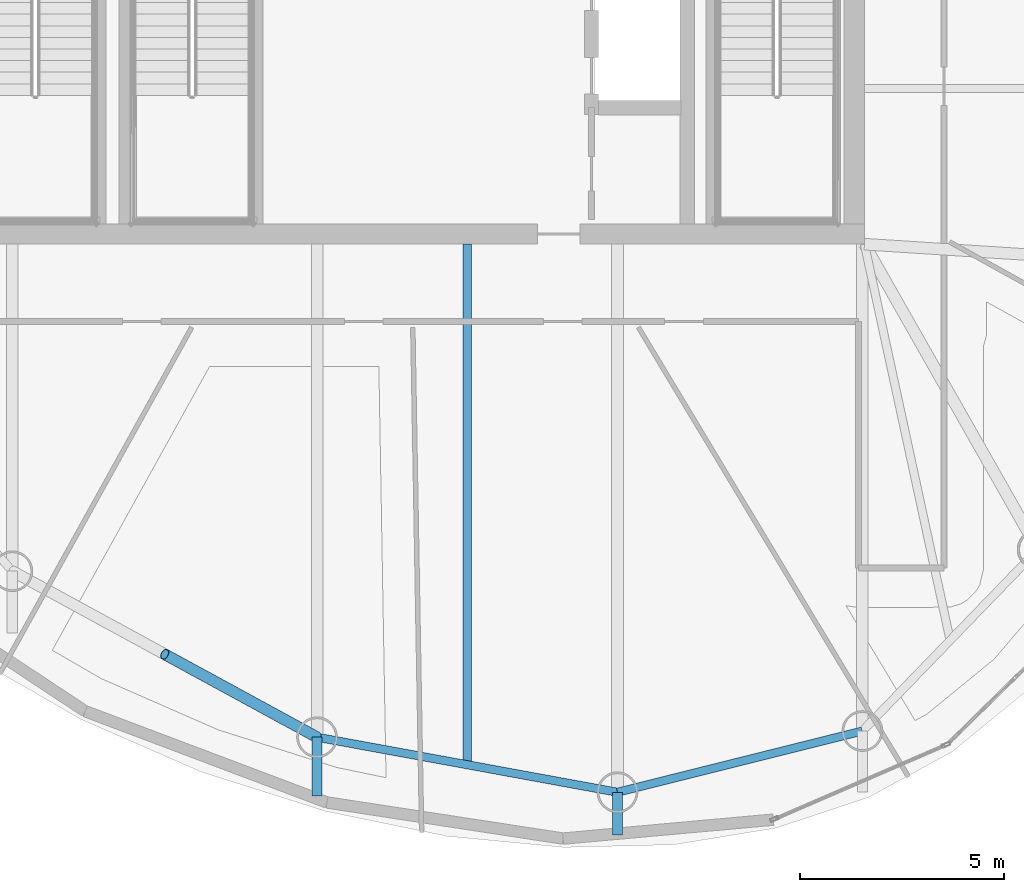
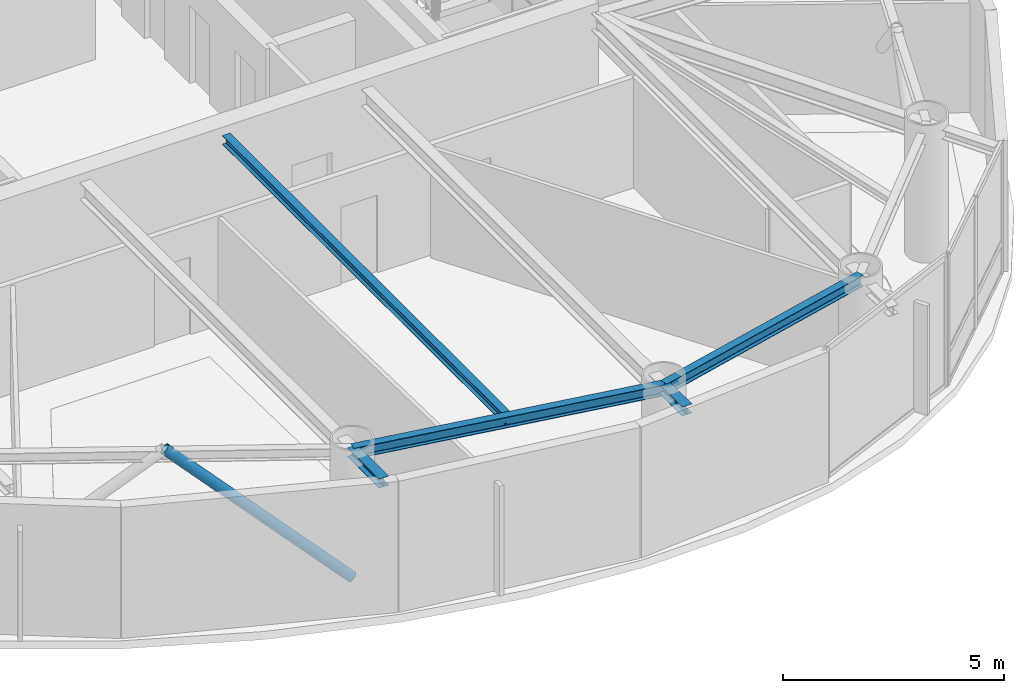
# One storey, part 4 of 21: 5 beams, 1 member.
"""IFC4 building model written with IfcOpenShell, lengths in metres."""

from ifc_helpers import new_model, si_unit, direction, frame, origin, origin_2d, place, context, subcontext, project, spatial, hollow_circle, i_section, extrude, material, material_profile, profile_set, type_object, element, save


model = new_model("IFC4")

# Units and contexts
model_context = context("Model", 3, precision=1e-05, world=origin(), true_north=direction((0.0, 1.0)))
body_context = subcontext(model_context, "Body", "Model", "MODEL_VIEW")
ifc_project = project(units=[si_unit("LENGTHUNIT", "METRE"), si_unit("AREAUNIT", "SQUARE_METRE"), si_unit("VOLUMEUNIT", "CUBIC_METRE"), si_unit("PLANEANGLEUNIT", "RADIAN"), si_unit("MASSUNIT", "GRAM", prefix="KILO")], contexts=[model_context])

# Site, building, storey
site_placement = place(None, origin())
site = spatial("IfcSite", under=ifc_project, at=site_placement, CompositionType="ELEMENT")
building_placement = place(site_placement, origin())
building = spatial("IfcBuilding", under=site, at=building_placement, Name="Bramvorn Convention Spire", CompositionType="ELEMENT")
storey_placement = place(building_placement, frame((0.0, 0.0, 257.449951171875)))
storey = spatial("IfcBuildingStorey", under=building, at=storey_placement, Name="L65", CompositionType="ELEMENT", Elevation=257.449951171875)

# Beams
ifc_material = material(Name="Steel CSA G40.21 Grade 350 (350W)", Category="steel")
ifc_material_profile_1 = material_profile(ifc_material, i_section(OverallWidth=0.201904296875, OverallDepth=0.2470703125, WebThickness=0.00732421875, FlangeThickness=0.010986328125, FilletRadius=0.011962890625, at=origin_2d()))
ifc_profile_set_1 = profile_set([ifc_material_profile_1], Name="Steel CSA G40.21 Grade 350 (350W) - W250X49")
beam_type_1 = type_object("IfcBeamType", Name="BM-W250X49", PredefinedType="JOIST", material=ifc_profile_set_1)
beam_1_placement = place(storey_placement, frame((39.501953125, 18.550048828125, 3.50146484375), z_axis=(0.0, -1.0, 0.0), x_axis=(1.0, 0.0, 0.0)))
element("IfcBeam", 1, at=beam_1_placement, inside=storey, type_object=beam_type_1, Name="L65 composite floor joist 15", PredefinedType="JOIST", context=body_context, shape_type="SweptSolid", body=[
    extrude(i_section(OverallWidth=0.201904296875, OverallDepth=0.2470703125, WebThickness=0.00732421875, FlangeThickness=0.010986328125, FilletRadius=0.011962890625, at=origin_2d()), origin(), (0.0, 0.0, 1.0), 12.77587890625),
])
ifc_material_profile_2 = material_profile(ifc_material, i_section(OverallWidth=0.25390625, OverallDepth=0.2529296875, WebThickness=0.008544921875, FlangeThickness=0.01416015625, FilletRadius=0.011962890625, at=origin_2d()))
ifc_profile_set_2 = profile_set([ifc_material_profile_2], Name="Steel CSA G40.21 Grade 350 (350W) - W250X73")
beam_type_2 = type_object("IfcBeamType", Name="BM-W250X73", PredefinedType="BEAM", material=ifc_profile_set_2)
beam_2_placement = place(storey_placement, frame((35.8154296875, 6.44921875, 3.49853515625), z_axis=(0.0, -1.0, 0.0), x_axis=(1.0, 0.0, 0.0)))
element("IfcBeam", 2, at=beam_2_placement, inside=storey, type_object=beam_type_2, Name="L65 slab-edge cantilever tip beam MC15", PredefinedType="BEAM", context=body_context, shape_type="SweptSolid", body=[
    extrude(i_section(OverallWidth=0.25390625, OverallDepth=0.2529296875, WebThickness=0.008544921875, FlangeThickness=0.01416015625, FilletRadius=0.011962890625, at=origin_2d()), origin(), (0.0, 0.0, 1.0), 1.439208984375),
])
beam_3_placement = place(storey_placement, frame((43.1884765625, 5.09912109375, 3.49853515625), z_axis=(0.0, -1.0, 0.0), x_axis=(1.0, 0.0, 0.0)))
element("IfcBeam", 3, at=beam_3_placement, inside=storey, type_object=beam_type_2, Name="L65 slab-edge cantilever tip beam MC16", PredefinedType="BEAM", context=body_context, shape_type="SweptSolid", body=[
    extrude(i_section(OverallWidth=0.25390625, OverallDepth=0.2529296875, WebThickness=0.008544921875, FlangeThickness=0.01416015625, FilletRadius=0.011962890625, at=origin_2d()), origin(), (0.0, 0.0, 1.0), 1.0537109375),
])
ifc_material_profile_3 = material_profile(ifc_material, i_section(OverallWidth=0.202880859375, OverallDepth=0.302978515625, WebThickness=0.007568359375, FlangeThickness=0.01318359375, FilletRadius=0.013916015625, at=origin_2d()))
ifc_profile_set_3 = profile_set([ifc_material_profile_3], Name="Steel CSA G40.21 Grade 350 (350W) - W310X60")
beam_type_3 = type_object("IfcBeamType", Name="BM-W310X60", PredefinedType="JOIST", material=ifc_profile_set_3)
beam_4_placement = place(storey_placement, frame((35.8154296875, 6.44921875, 3.4736328125), z_axis=(0.983645049461, -0.180117785547, 0.0), x_axis=(0.180117785547, 0.983645049461, 0.0)))
element("IfcBeam", 4, at=beam_4_placement, inside=storey, type_object=beam_type_3, Name="L65 mega-column ring beam 15", PredefinedType="JOIST", context=body_context, shape_type="SweptSolid", body=[
    extrude(i_section(OverallWidth=0.202880859375, OverallDepth=0.302978515625, WebThickness=0.007568359375, FlangeThickness=0.01318359375, FilletRadius=0.013916015625, at=origin_2d()), origin(), (0.0, 0.0, 1.0), 7.49560546875),
])
beam_5_placement = place(storey_placement, frame((43.1884765625, 5.09912109375, 3.4736328125), z_axis=(0.970177255997, 0.24239655927, 0.0), x_axis=(-0.24239655927, 0.970177255997, 0.0)))
element("IfcBeam", 5, at=beam_5_placement, inside=storey, type_object=beam_type_3, Name="L65 mega-column ring beam 16", PredefinedType="JOIST", context=body_context, shape_type="SweptSolid", body=[
    extrude(i_section(OverallWidth=0.202880859375, OverallDepth=0.302978515625, WebThickness=0.007568359375, FlangeThickness=0.01318359375, FilletRadius=0.013916015625, at=origin_2d()), origin(), (0.0, 0.0, 1.0), 6.1962890625),
])

# Member
ifc_material_profile_4 = material_profile(ifc_material, hollow_circle(Radius=0.136474609375, WallThickness=0.0126953125, at=origin_2d()))
ifc_profile_set_4 = profile_set([ifc_material_profile_4], Name="Steel CSA G40.21 Grade 350 (350W) - CHS273X13")
member_type = type_object("IfcMemberType", Name="MBR-CHS273X13", PredefinedType="BRACE", material=ifc_profile_set_4)
member_placement = place(storey_placement, frame((35.8154296875, 6.44921875, 0.0), z_axis=(-0.668620574392, 0.364261554927, 0.64827466949), x_axis=(-0.478406114461, -0.878138707521, 0.0)))
element("IfcMember", 6, at=member_placement, inside=storey, type_object=member_type, Name="L65 perimeter Gothic lancet brace 14B", PredefinedType="BRACE", context=body_context, shape_type="SweptSolid", body=[
    extrude(hollow_circle(Radius=0.136474609375, WallThickness=0.0126953125, at=origin_2d()), origin(), (0.0, 0.0, 1.0), 5.591796875),
])

save(model, "model.ifc")
